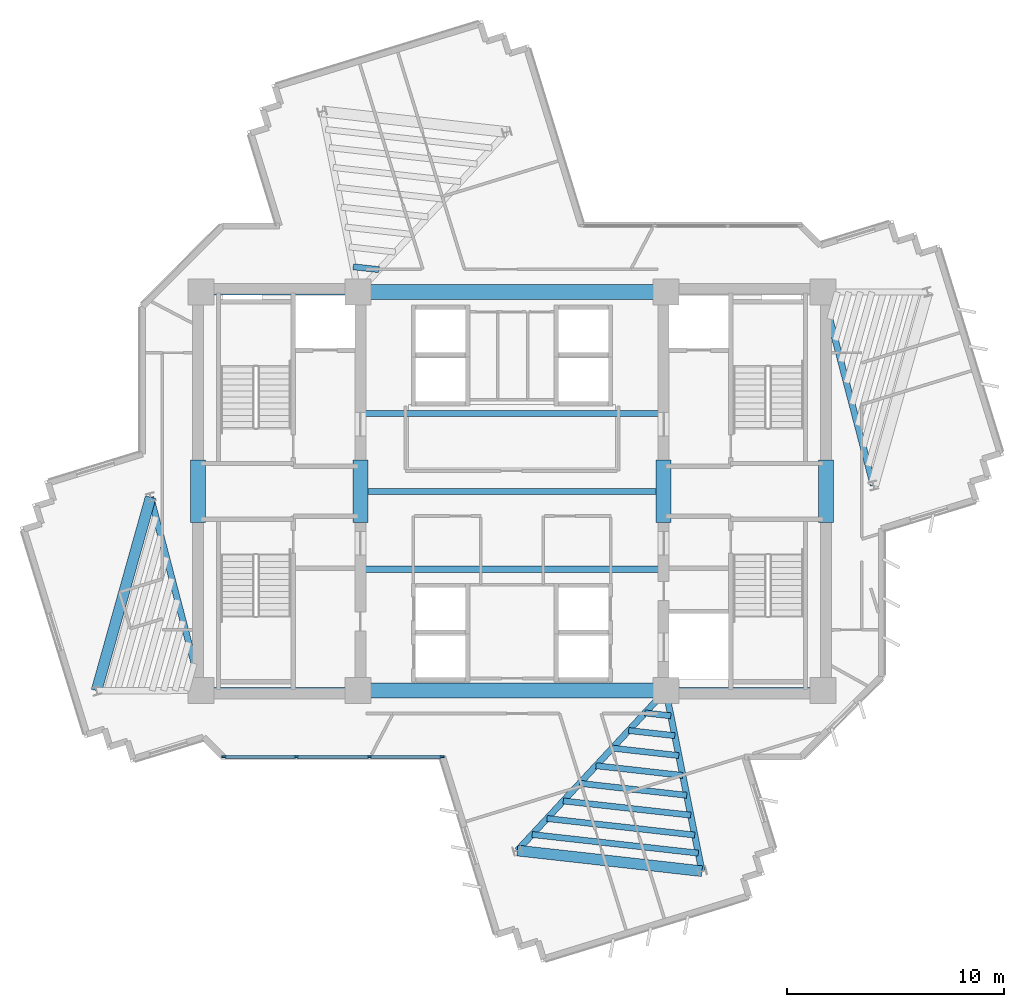
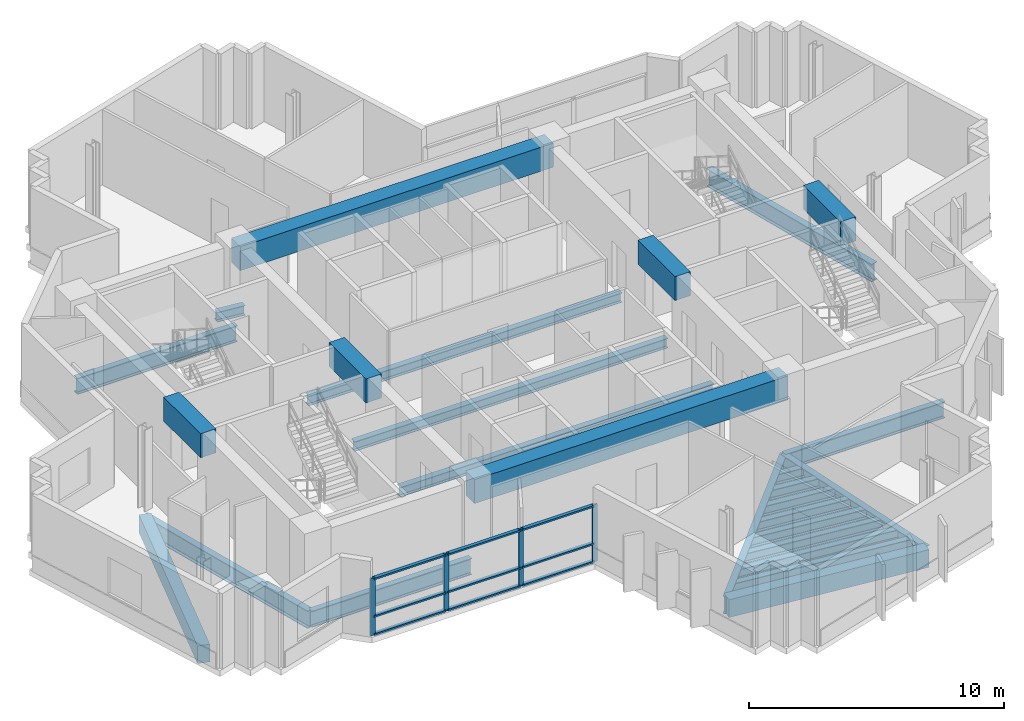
# One storey, part 2 of 13: 27 beams, 13 members, 1 element without a shape of its own.
"""IFC4 building model written with IfcOpenShell, lengths in metres."""

from ifc_helpers import new_model, si_unit, direction, frame, origin, origin_2d, place, context, subcontext, project, spatial, rectangle, i_section, extrude, source, transform, mapped, material, layer, layer_set, material_profile, profile_set, type_object, element, aggregate, save


model = new_model("IFC4")

# Units and contexts
model_context = context("Model", 3, precision=1e-05, world=origin(), true_north=direction((0.0, 1.0)))
body_context = subcontext(model_context, "Body", "Model", "MODEL_VIEW")
ifc_project = project(units=[si_unit("LENGTHUNIT", "METRE"), si_unit("AREAUNIT", "SQUARE_METRE"), si_unit("VOLUMEUNIT", "CUBIC_METRE"), si_unit("PLANEANGLEUNIT", "RADIAN"), si_unit("MASSUNIT", "GRAM", prefix="KILO")], contexts=[model_context])

# Site, building, storey
site_placement = place(None, origin())
site = spatial("IfcSite", under=ifc_project, at=site_placement, CompositionType="ELEMENT")
building_placement = place(site_placement, origin())
building = spatial("IfcBuilding", under=site, at=building_placement, Name="Zahravan Cultural Tower", CompositionType="ELEMENT")
storey_placement = place(building_placement, frame((0.0, 0.0, 213.60009765625)))
storey = spatial("IfcBuildingStorey", under=building, at=storey_placement, Name="L50", CompositionType="ELEMENT", Elevation=213.60009765625)

# Beams
ifc_material_1 = material(Name="Concrete C50/60", Category="concrete")
ifc_material_profile_1 = material_profile(ifc_material_1, rectangle(XDim=0.699951171875, YDim=1.14990234375, at=origin_2d()), Name="RC700X1150")
ifc_profile_set_1 = profile_set([ifc_material_profile_1], Name="Concrete C50/60")
beam_type_1 = type_object("IfcBeamType", Name="BM-LN-RC700X1150", PredefinedType="LINTEL", material=ifc_profile_set_1)
shared_shape_1 = source(origin(), body_context, "Body", "SweptSolid", [
    extrude(rectangle(XDim=0.699951171875, YDim=1.14990234375, at=origin_2d()), origin(), (0.0, 0.0, 1.0), 14.2001953125),
])
for number, where, z_axis, x_axis, name in (
    (1, (28.89990234375, 17.800048828125, 3.044921875), (1.0, 0.0, 0.0), (0.0, 1.0, 0.0), "L50 Beam LN-L50-S"),
    (2, (28.89990234375, 36.199951171875, 3.044921875), (1.0, 0.0, 0.0), (0.0, 1.0, 0.0), "L50 Beam LN-L50-N"),
):
    element("IfcBeam", number, at=place(storey_placement, frame(where, z_axis=z_axis, x_axis=x_axis)), inside=storey, type_object=beam_type_1, Name=name, PredefinedType="LINTEL", context=body_context, shape_type="MappedRepresentation", body=[
        mapped(shared_shape_1, transform((0.0, 0.0, 0.0), x_axis=(1.0, 0.0, 0.0), y_axis=(0.0, 1.0, 0.0), z_axis=(0.0, 0.0, 1.0), scale=1.0)),
    ])
shared_shape_2 = source(origin(), body_context, "Body", "SweptSolid", [
    extrude(rectangle(XDim=0.699951171875, YDim=1.14990234375, at=origin_2d()), origin(), (0.0, 0.0, 1.0), 2.89990234375),
])
for number, where, z_axis, x_axis, name in (
    (3, (21.5, 25.550048828125, 3.044921875), (0.0, 1.0, 0.0), (-1.0, 0.0, 0.0), "L50 Beam LN-L50-PWW"),
    (4, (29.0, 25.550048828125, 3.044921875), (0.0, 1.0, 0.0), (-1.0, 0.0, 0.0), "L50 Beam LN-L50-PWE"),
    (5, (43.0, 25.550048828125, 3.044921875), (0.0, 1.0, 0.0), (-1.0, 0.0, 0.0), "L50 Beam LN-L50-PEW"),
    (6, (50.5, 25.550048828125, 3.044921875), (0.0, 1.0, 0.0), (-1.0, 0.0, 0.0), "L50 Beam LN-L50-PEE"),
):
    element("IfcBeam", number, at=place(storey_placement, frame(where, z_axis=z_axis, x_axis=x_axis)), inside=storey, type_object=beam_type_1, Name=name, PredefinedType="LINTEL", context=body_context, shape_type="MappedRepresentation", body=[
        mapped(shared_shape_2, transform((0.0, 0.0, 0.0), x_axis=(1.0, 0.0, 0.0), y_axis=(0.0, 1.0, 0.0), z_axis=(0.0, 0.0, 1.0), scale=1.0)),
    ])
ifc_material_2 = material(Name="Steel ASTM A992 Grade 50", Category="steel")
ifc_material_profile_2 = material_profile(ifc_material_2, i_section(OverallWidth=0.26611328125, OverallDepth=0.780029296875, WebThickness=0.0166015625, FlangeThickness=0.030029296875, FilletRadius=0.01904296875, at=origin_2d()), Name="W30X148")
ifc_profile_set_2 = profile_set([ifc_material_profile_2], Name="Steel ASTM A992 Grade 50")
beam_type_2 = type_object("IfcBeamType", Name="BM-G-W30X148", PredefinedType="BEAM", material=ifc_profile_set_2)
shared_shape_3 = source(origin(), body_context, "Body", "SweptSolid", [
    extrude(i_section(OverallWidth=0.26611328125, OverallDepth=0.780029296875, WebThickness=0.0166015625, FlangeThickness=0.030029296875, FilletRadius=0.01904296875, at=origin_2d()), origin(), (0.0, 0.0, 1.0), 7.25),
])
for number, where, z_axis, x_axis, name in (
    (7, (21.64990234375, 17.800048828125, -0.670166015625), (1.0, 0.0, 0.0), (0.0, 1.0, 0.0), "L50 Beam BG-L50-01"),
    (8, (21.64990234375, 36.199951171875, -0.670166015625), (1.0, 0.0, 0.0), (0.0, 1.0, 0.0), "L50 Beam BG-L50-02"),
    (9, (43.10009765625, 17.800048828125, -0.670166015625), (1.0, 0.0, 0.0), (0.0, 1.0, 0.0), "L50 Beam BG-L50-04"),
):
    element("IfcBeam", number, at=place(storey_placement, frame(where, z_axis=z_axis, x_axis=x_axis)), inside=storey, type_object=beam_type_2, Name=name, PredefinedType="BEAM", context=body_context, shape_type="MappedRepresentation", body=[
        mapped(shared_shape_3, transform((0.0, 0.0, 0.0), x_axis=(1.0, 0.0, 0.0), y_axis=(0.0, 1.0, 0.0), z_axis=(0.0, 0.0, 1.0), scale=1.0)),
    ])
ifc_material_profile_3 = material_profile(ifc_material_1, rectangle(XDim=0.5, YDim=0.85009765625, at=origin_2d()), Name="RC500X850")
ifc_profile_set_3 = profile_set([ifc_material_profile_3], Name="Concrete C50/60")
beam_type_3 = type_object("IfcBeamType", Name="BM-SP-RC500X850", PredefinedType="SPANDREL", material=ifc_profile_set_3)
shared_shape_4 = source(origin(), body_context, "Body", "SweptSolid", [
    extrude(rectangle(XDim=0.5, YDim=0.85009765625, at=origin_2d()), origin(), (0.0, 0.0, 1.0), 9.2783203125),
])
beam_1_placement = place(storey_placement, frame((19.315673828125, 26.72900390625, -0.705078125), z_axis=(-0.269497187032, -0.963001176625, 0.0), x_axis=(0.963001176625, -0.269497187032, 0.0)))
element("IfcBeam", 10, at=beam_1_placement, inside=storey, type_object=beam_type_3, Name="L50 Beam SP-L50-15", PredefinedType="SPANDREL", context=body_context, shape_type="MappedRepresentation", body=[
    mapped(shared_shape_4, transform((0.0, 0.0, 0.0), x_axis=(1.0, 0.0, 0.0), y_axis=(0.0, 1.0, 0.0), z_axis=(0.0, 0.0, 1.0), scale=1.0)),
])
shared_shape_5 = source(origin(), body_context, "Body", "SweptSolid", [
    extrude(rectangle(XDim=0.5, YDim=0.85009765625, at=origin_2d()), origin(), (0.0, 0.0, 1.0), 8.579833984375),
])
beam_2_placement = place(storey_placement, frame((36.245361328125, 10.412353515625, -0.705078125), z_axis=(0.9938040105, -0.11114669907, 0.0), x_axis=(0.11114669907, 0.9938040105, 0.0)))
element("IfcBeam", 11, at=beam_2_placement, inside=storey, type_object=beam_type_3, Name="L50 Beam SP-L50-16", PredefinedType="SPANDREL", context=body_context, shape_type="MappedRepresentation", body=[
    mapped(shared_shape_5, transform((0.0, 0.0, 0.0), x_axis=(1.0, 0.0, 0.0), y_axis=(0.0, 1.0, 0.0), z_axis=(0.0, 0.0, 1.0), scale=1.0)),
])
ifc_material_profile_4 = material_profile(ifc_material_2, i_section(OverallWidth=0.29296875, OverallDepth=0.845947265625, WebThickness=0.015380859375, FlangeThickness=0.0244140625, FilletRadius=0.02001953125, at=origin_2d()), Name="W33X141")
ifc_profile_set_4 = profile_set([ifc_material_profile_4], Name="Steel ASTM A992 Grade 50")
beam_type_4 = type_object("IfcBeamType", Name="BM-G-W33X141", PredefinedType="BEAM", material=ifc_profile_set_4)
shared_shape_6 = source(origin(), body_context, "Body", "SweptSolid", [
    extrude(i_section(OverallWidth=0.29296875, OverallDepth=0.845947265625, WebThickness=0.015380859375, FlangeThickness=0.0244140625, FilletRadius=0.02001953125, at=origin_2d()), origin(), (0.0, 0.0, 1.0), 9.22900390625),
])
for number, where, z_axis, x_axis, name in (
    (12, (21.64990234375, 17.800048828125, -0.703125), (-0.252922608408, 0.967486513682, 0.0), (-0.967486513682, -0.252922608408, 0.0), "L50 Beam BG-L50-07"),
    (13, (50.35009765625, 36.199951171875, -0.703125), (0.252922608408, -0.967486513682, 0.0), (0.967486513682, 0.252922608408, 0.0), "L50 Beam BG-L50-11"),
):
    element("IfcBeam", number, at=place(storey_placement, frame(where, z_axis=z_axis, x_axis=x_axis)), inside=storey, type_object=beam_type_4, Name=name, PredefinedType="BEAM", context=body_context, shape_type="MappedRepresentation", body=[
        mapped(shared_shape_6, transform((0.0, 0.0, 0.0), x_axis=(1.0, 0.0, 0.0), y_axis=(0.0, 1.0, 0.0), z_axis=(0.0, 0.0, 1.0), scale=1.0)),
    ])
shared_shape_7 = source(origin(), body_context, "Body", "SweptSolid", [
    extrude(i_section(OverallWidth=0.29296875, OverallDepth=0.845947265625, WebThickness=0.015380859375, FlangeThickness=0.0244140625, FilletRadius=0.02001953125, at=origin_2d()), origin(), (0.0, 0.0, 1.0), 10.077880859375),
])
beam_3_placement = place(storey_placement, frame((43.10009765625, 17.800048828125, -0.703125), z_axis=(-0.680170435587, -0.733054007938, 0.0), x_axis=(0.733054007938, -0.680170435587, 0.0)))
element("IfcBeam", 14, at=beam_3_placement, inside=storey, type_object=beam_type_4, Name="L50 Beam BG-L50-09", PredefinedType="BEAM", context=body_context, shape_type="MappedRepresentation", body=[
    mapped(shared_shape_7, transform((0.0, 0.0, 0.0), x_axis=(1.0, 0.0, 0.0), y_axis=(0.0, 1.0, 0.0), z_axis=(0.0, 0.0, 1.0), scale=1.0)),
])
shared_shape_8 = source(origin(), body_context, "Body", "SweptSolid", [
    extrude(i_section(OverallWidth=0.29296875, OverallDepth=0.845947265625, WebThickness=0.015380859375, FlangeThickness=0.0244140625, FilletRadius=0.02001953125, at=origin_2d()), origin(), (0.0, 0.0, 1.0), 8.50732421875),
])
beam_4_placement = place(storey_placement, frame((43.10009765625, 17.800048828125, -0.703125), z_axis=(0.196524514012, -0.980498911469, 0.0), x_axis=(0.980498911469, 0.196524514012, 0.0)))
element("IfcBeam", 15, at=beam_4_placement, inside=storey, type_object=beam_type_4, Name="L50 Beam BG-L50-10", PredefinedType="BEAM", context=body_context, shape_type="MappedRepresentation", body=[
    mapped(shared_shape_8, transform((0.0, 0.0, 0.0), x_axis=(1.0, 0.0, 0.0), y_axis=(0.0, 1.0, 0.0), z_axis=(0.0, 0.0, 1.0), scale=1.0)),
])
ifc_material_profile_5 = material_profile(ifc_material_2, i_section(OverallWidth=0.280029296875, OverallDepth=0.462890625, WebThickness=0.0107421875, FlangeThickness=0.017333984375, FilletRadius=0.012939453125, at=origin_2d()), Name="W18X76")
ifc_profile_set_5 = profile_set([ifc_material_profile_5], Name="Steel ASTM A992 Grade 50")
beam_type_5 = type_object("IfcBeamType", Name="BM-J-W18X76", PredefinedType="JOIST", material=ifc_profile_set_5)
shared_shape_9 = source(origin(), body_context, "Body", "SweptSolid", [
    extrude(i_section(OverallWidth=0.280029296875, OverallDepth=0.462890625, WebThickness=0.0107421875, FlangeThickness=0.017333984375, FilletRadius=0.012939453125, at=origin_2d()), origin(), (0.0, 0.0, 1.0), 14.2001953125),
])
for number, where, z_axis, x_axis, name in (
    (16, (28.89990234375, 23.39990234375, -0.51171875), (1.0, 0.0, 0.0), (0.0, 1.0, 0.0), "L50 Beam BJ-L50-19"),
    (17, (28.89990234375, 27.0, -0.51171875), (1.0, 0.0, 0.0), (0.0, 1.0, 0.0), "L50 Beam BJ-L50-20"),
    (18, (28.89990234375, 30.60009765625, -0.51171875), (1.0, 0.0, 0.0), (0.0, 1.0, 0.0), "L50 Beam BJ-L50-21"),
):
    element("IfcBeam", number, at=place(storey_placement, frame(where, z_axis=z_axis, x_axis=x_axis)), inside=storey, type_object=beam_type_5, Name=name, PredefinedType="JOIST", context=body_context, shape_type="MappedRepresentation", body=[
        mapped(shared_shape_9, transform((0.0, 0.0, 0.0), x_axis=(1.0, 0.0, 0.0), y_axis=(0.0, 1.0, 0.0), z_axis=(0.0, 0.0, 1.0), scale=1.0)),
    ])
shared_shape_10 = source(origin(), body_context, "Body", "SweptSolid", [
    extrude(i_section(OverallWidth=0.280029296875, OverallDepth=0.462890625, WebThickness=0.0107421875, FlangeThickness=0.017333984375, FilletRadius=0.012939453125, at=origin_2d()), origin(), (0.0, 0.0, 1.0), 1.201171875),
])
for number, where, z_axis, x_axis, name in (
    (19, (42.140380859375, 16.765625, -0.51171875), (0.99379916149, -0.111190047317, 0.0), (0.111190047317, 0.99379916149, 0.0), "L50 Beam BJ-L50-30"),
    (20, (29.859619140625, 37.234375, -0.51171875), (-0.99379916149, 0.111190047317, 0.0), (-0.111190047317, -0.99379916149, 0.0), "L50 Beam BJ-L50-46"),
):
    element("IfcBeam", number, at=place(storey_placement, frame(where, z_axis=z_axis, x_axis=x_axis)), inside=storey, type_object=beam_type_5, Name=name, PredefinedType="JOIST", context=body_context, shape_type="MappedRepresentation", body=[
        mapped(shared_shape_10, transform((0.0, 0.0, 0.0), x_axis=(1.0, 0.0, 0.0), y_axis=(0.0, 1.0, 0.0), z_axis=(0.0, 0.0, 1.0), scale=1.0)),
    ])
shared_shape_11 = source(origin(), body_context, "Body", "SweptSolid", [
    extrude(i_section(OverallWidth=0.280029296875, OverallDepth=0.462890625, WebThickness=0.0107421875, FlangeThickness=0.017333984375, FilletRadius=0.012939453125, at=origin_2d()), origin(), (0.0, 0.0, 1.0), 2.144775390625),
])
beam_5_placement = place(storey_placement, frame((41.386474609375, 15.953125, -0.51171875), z_axis=(0.993797370806, -0.111206051, 0.0), x_axis=(0.111206051, 0.993797370806, 0.0)))
element("IfcBeam", 21, at=beam_5_placement, inside=storey, type_object=beam_type_5, Name="L50 Beam BJ-L50-31", PredefinedType="JOIST", context=body_context, shape_type="MappedRepresentation", body=[
    mapped(shared_shape_11, transform((0.0, 0.0, 0.0), x_axis=(1.0, 0.0, 0.0), y_axis=(0.0, 1.0, 0.0), z_axis=(0.0, 0.0, 1.0), scale=1.0)),
])
shared_shape_12 = source(origin(), body_context, "Body", "SweptSolid", [
    extrude(i_section(OverallWidth=0.280029296875, OverallDepth=0.462890625, WebThickness=0.0107421875, FlangeThickness=0.017333984375, FilletRadius=0.012939453125, at=origin_2d()), origin(), (0.0, 0.0, 1.0), 3.088623046875),
])
beam_6_placement = place(storey_placement, frame((40.63232421875, 15.140380859375, -0.51171875), z_axis=(0.993805407368, -0.111134208443, 0.0), x_axis=(0.111134208443, 0.993805407368, 0.0)))
element("IfcBeam", 22, at=beam_6_placement, inside=storey, type_object=beam_type_5, Name="L50 Beam BJ-L50-32", PredefinedType="JOIST", context=body_context, shape_type="MappedRepresentation", body=[
    mapped(shared_shape_12, transform((0.0, 0.0, 0.0), x_axis=(1.0, 0.0, 0.0), y_axis=(0.0, 1.0, 0.0), z_axis=(0.0, 0.0, 1.0), scale=1.0)),
])
shared_shape_13 = source(origin(), body_context, "Body", "SweptSolid", [
    extrude(i_section(OverallWidth=0.280029296875, OverallDepth=0.462890625, WebThickness=0.0107421875, FlangeThickness=0.017333984375, FilletRadius=0.012939453125, at=origin_2d()), origin(), (0.0, 0.0, 1.0), 4.0322265625),
])
beam_7_placement = place(storey_placement, frame((39.87841796875, 14.327880859375, -0.51171875), z_axis=(0.993802245601, -0.11116247855, 0.0), x_axis=(0.11116247855, 0.993802245601, 0.0)))
element("IfcBeam", 23, at=beam_7_placement, inside=storey, type_object=beam_type_5, Name="L50 Beam BJ-L50-33", PredefinedType="JOIST", context=body_context, shape_type="MappedRepresentation", body=[
    mapped(shared_shape_13, transform((0.0, 0.0, 0.0), x_axis=(1.0, 0.0, 0.0), y_axis=(0.0, 1.0, 0.0), z_axis=(0.0, 0.0, 1.0), scale=1.0)),
])
shared_shape_14 = source(origin(), body_context, "Body", "SweptSolid", [
    extrude(i_section(OverallWidth=0.280029296875, OverallDepth=0.462890625, WebThickness=0.0107421875, FlangeThickness=0.017333984375, FilletRadius=0.012939453125, at=origin_2d()), origin(), (0.0, 0.0, 1.0), 4.97607421875),
])
beam_8_placement = place(storey_placement, frame((39.124267578125, 13.51513671875, -0.51171875), z_axis=(0.993806308517, -0.111126149723, 0.0), x_axis=(0.111126149723, 0.993806308517, 0.0)))
element("IfcBeam", 24, at=beam_8_placement, inside=storey, type_object=beam_type_5, Name="L50 Beam BJ-L50-34", PredefinedType="JOIST", context=body_context, shape_type="MappedRepresentation", body=[
    mapped(shared_shape_14, transform((0.0, 0.0, 0.0), x_axis=(1.0, 0.0, 0.0), y_axis=(0.0, 1.0, 0.0), z_axis=(0.0, 0.0, 1.0), scale=1.0)),
])
shared_shape_15 = source(origin(), body_context, "Body", "SweptSolid", [
    extrude(i_section(OverallWidth=0.280029296875, OverallDepth=0.462890625, WebThickness=0.0107421875, FlangeThickness=0.017333984375, FilletRadius=0.012939453125, at=origin_2d()), origin(), (0.0, 0.0, 1.0), 5.919921875),
])
beam_9_placement = place(storey_placement, frame((38.370361328125, 12.70263671875, -0.51171875), z_axis=(0.993804520866, -0.111142135602, 0.0), x_axis=(0.111142135602, 0.993804520866, 0.0)))
element("IfcBeam", 25, at=beam_9_placement, inside=storey, type_object=beam_type_5, Name="L50 Beam BJ-L50-35", PredefinedType="JOIST", context=body_context, shape_type="MappedRepresentation", body=[
    mapped(shared_shape_15, transform((0.0, 0.0, 0.0), x_axis=(1.0, 0.0, 0.0), y_axis=(0.0, 1.0, 0.0), z_axis=(0.0, 0.0, 1.0), scale=1.0)),
])
shared_shape_16 = source(origin(), body_context, "Body", "SweptSolid", [
    extrude(i_section(OverallWidth=0.280029296875, OverallDepth=0.462890625, WebThickness=0.0107421875, FlangeThickness=0.017333984375, FilletRadius=0.012939453125, at=origin_2d()), origin(), (0.0, 0.0, 1.0), 6.86376953125),
])
beam_10_placement = place(storey_placement, frame((37.6162109375, 11.889892578125, -0.51171875), z_axis=(0.993803224695, -0.111153725024, 0.0), x_axis=(0.111153725024, 0.993803224695, 0.0)))
element("IfcBeam", 26, at=beam_10_placement, inside=storey, type_object=beam_type_5, Name="L50 Beam BJ-L50-36", PredefinedType="JOIST", context=body_context, shape_type="MappedRepresentation", body=[
    mapped(shared_shape_16, transform((0.0, 0.0, 0.0), x_axis=(1.0, 0.0, 0.0), y_axis=(0.0, 1.0, 0.0), z_axis=(0.0, 0.0, 1.0), scale=1.0)),
])
shared_shape_17 = source(origin(), body_context, "Body", "SweptSolid", [
    extrude(i_section(OverallWidth=0.280029296875, OverallDepth=0.462890625, WebThickness=0.0107421875, FlangeThickness=0.017333984375, FilletRadius=0.012939453125, at=origin_2d()), origin(), (0.0, 0.0, 1.0), 7.7216796875),
])
beam_11_placement = place(storey_placement, frame((36.930908203125, 11.151123046875, -0.51171875), z_axis=(0.993805212115, -0.11113595446, 0.0), x_axis=(0.11113595446, 0.993805212115, 0.0)))
element("IfcBeam", 27, at=beam_11_placement, inside=storey, type_object=beam_type_5, Name="L50 Beam BJ-L50-37", PredefinedType="JOIST", context=body_context, shape_type="MappedRepresentation", body=[
    mapped(shared_shape_17, transform((0.0, 0.0, 0.0), x_axis=(1.0, 0.0, 0.0), y_axis=(0.0, 1.0, 0.0), z_axis=(0.0, 0.0, 1.0), scale=1.0)),
])

# Curtain wall, members
ifc_material_3 = material(Name="Anodised bronze-aluminium mullion", Category="aluminium")
ifc_layer = layer(ifc_material_3, 0.219970703125)
ifc_layer_set = layer_set([ifc_layer], Name="Anodised bronze-aluminium mullion")
curtain_wall_type = type_object("IfcCurtainWallType", Name="CW-SYS-1", PredefinedType="USERDEFINED", material=ifc_layer_set)
curtain_wall_placement = place(storey_placement, origin())
curtain_wall = element("IfcCurtainWall", 28, at=curtain_wall_placement, inside=storey, type_object=curtain_wall_type, Name="L50 Recessed Curtain Wall CW-1.1", ObjectType="RECESSED GLAZING", PredefinedType="USERDEFINED")
ifc_material_profile_6 = material_profile(ifc_material_3, rectangle(XDim=0.080078125, YDim=0.219970703125, at=origin_2d()), Name="AL-M80X220")
ifc_profile_set_6 = profile_set([ifc_material_profile_6], Name="Anodised bronze-aluminium mullion")
member_type_1 = type_object("IfcMemberType", Name="CWM-CW-1", PredefinedType="MULLION", material=ifc_profile_set_6)
shared_shape_18 = source(origin(), body_context, "Body", "SweptSolid", [
    extrude(rectangle(XDim=0.080078125, YDim=0.219970703125, at=origin_2d()), origin(), (0.0, 0.0, 1.0), 2.739990234375),
])
member_1_placement = place(storey_placement, frame((32.763671875, 14.739990234375, 0.0), z_axis=(0.0, 0.0, 1.0), x_axis=(0.0, -1.0, 0.0)))
member_1 = element("IfcMember", 29, at=member_1_placement, type_object=member_type_1, Name="CW-1 mullion 1", PredefinedType="MULLION", context=body_context, shape_type="MappedRepresentation", body=[
    mapped(shared_shape_18, transform((0.0, 0.0, 0.0), x_axis=(1.0, 0.0, 0.0), y_axis=(0.0, 1.0, 0.0), z_axis=(0.0, 0.0, 1.0), scale=1.0)),
])
member_2_placement = place(storey_placement, frame((29.421630859375, 14.739990234375, 0.0), z_axis=(0.0, 0.0, 1.0), x_axis=(0.0, -1.0, 0.0)))
member_2 = element("IfcMember", 30, at=member_2_placement, type_object=member_type_1, Name="CW-1 mullion 2", PredefinedType="MULLION", context=body_context, shape_type="MappedRepresentation", body=[
    mapped(shared_shape_18, transform((0.0, 0.0, 0.0), x_axis=(1.0, 0.0, 0.0), y_axis=(0.0, 1.0, 0.0), z_axis=(0.0, 0.0, 1.0), scale=1.0)),
])
member_3_placement = place(storey_placement, frame((26.039794921875, 14.739990234375, 0.0), z_axis=(0.0, 0.0, 1.0), x_axis=(0.0, -1.0, 0.0)))
member_3 = element("IfcMember", 31, at=member_3_placement, type_object=member_type_1, Name="CW-1 mullion 3", PredefinedType="MULLION", context=body_context, shape_type="MappedRepresentation", body=[
    mapped(shared_shape_18, transform((0.0, 0.0, 0.0), x_axis=(1.0, 0.0, 0.0), y_axis=(0.0, 1.0, 0.0), z_axis=(0.0, 0.0, 1.0), scale=1.0)),
])
member_4_placement = place(storey_placement, frame((22.697998046875, 14.739990234375, 0.0), z_axis=(0.0, 0.0, 1.0), x_axis=(0.0, -1.0, 0.0)))
member_4 = element("IfcMember", 32, at=member_4_placement, type_object=member_type_1, Name="CW-1 mullion 4", PredefinedType="MULLION", context=body_context, shape_type="MappedRepresentation", body=[
    mapped(shared_shape_18, transform((0.0, 0.0, 0.0), x_axis=(1.0, 0.0, 0.0), y_axis=(0.0, 1.0, 0.0), z_axis=(0.0, 0.0, 1.0), scale=1.0)),
])
ifc_material_profile_7 = material_profile(ifc_material_3, rectangle(XDim=0.159912109375, YDim=0.080078125, at=origin_2d()), Name="AL-T80X160")
ifc_profile_set_7 = profile_set([ifc_material_profile_7], Name="Anodised bronze-aluminium mullion")
member_type_2 = type_object("IfcMemberType", Name="CWT-CW-1", PredefinedType="USERDEFINED", material=ifc_profile_set_7)
shared_shape_19 = source(origin(), body_context, "Body", "SweptSolid", [
    extrude(rectangle(XDim=0.159912109375, YDim=0.080078125, at=origin_2d()), origin(), (0.0, 0.0, 1.0), 3.261962890625),
])
member_5_placement = place(storey_placement, frame((32.7236328125, 14.739990234375, 0.039794921875), z_axis=(-1.0, 0.0, 0.0), x_axis=(0.0, -1.0, 0.0)))
member_5 = element("IfcMember", 33, at=member_5_placement, type_object=member_type_2, Name="CW-1 transom 1.1", ObjectType="TRANSOM", PredefinedType="USERDEFINED", context=body_context, shape_type="MappedRepresentation", body=[
    mapped(shared_shape_19, transform((0.0, 0.0, 0.0), x_axis=(1.0, 0.0, 0.0), y_axis=(0.0, 1.0, 0.0), z_axis=(0.0, 0.0, 1.0), scale=1.0)),
])
member_6_placement = place(storey_placement, frame((32.7236328125, 14.739990234375, 0.89990234375), z_axis=(-1.0, 0.0, 0.0), x_axis=(0.0, -1.0, 0.0)))
member_6 = element("IfcMember", 34, at=member_6_placement, type_object=member_type_2, Name="CW-1 transom 1.2", ObjectType="TRANSOM", PredefinedType="USERDEFINED", context=body_context, shape_type="MappedRepresentation", body=[
    mapped(shared_shape_19, transform((0.0, 0.0, 0.0), x_axis=(1.0, 0.0, 0.0), y_axis=(0.0, 1.0, 0.0), z_axis=(0.0, 0.0, 1.0), scale=1.0)),
])
member_7_placement = place(storey_placement, frame((32.7236328125, 14.739990234375, 2.699951171875), z_axis=(-1.0, 0.0, 0.0), x_axis=(0.0, -1.0, 0.0)))
member_7 = element("IfcMember", 35, at=member_7_placement, type_object=member_type_2, Name="CW-1 transom 1.3", ObjectType="TRANSOM", PredefinedType="USERDEFINED", context=body_context, shape_type="MappedRepresentation", body=[
    mapped(shared_shape_19, transform((0.0, 0.0, 0.0), x_axis=(1.0, 0.0, 0.0), y_axis=(0.0, 1.0, 0.0), z_axis=(0.0, 0.0, 1.0), scale=1.0)),
])
shared_shape_20 = source(origin(), body_context, "Body", "SweptSolid", [
    extrude(rectangle(XDim=0.159912109375, YDim=0.080078125, at=origin_2d()), origin(), (0.0, 0.0, 1.0), 3.302001953125),
])
member_8_placement = place(storey_placement, frame((29.3818359375, 14.739990234375, 0.039794921875), z_axis=(-1.0, 0.0, 0.0), x_axis=(0.0, -1.0, 0.0)))
member_8 = element("IfcMember", 36, at=member_8_placement, type_object=member_type_2, Name="CW-1 transom 2.1", ObjectType="TRANSOM", PredefinedType="USERDEFINED", context=body_context, shape_type="MappedRepresentation", body=[
    mapped(shared_shape_20, transform((0.0, 0.0, 0.0), x_axis=(1.0, 0.0, 0.0), y_axis=(0.0, 1.0, 0.0), z_axis=(0.0, 0.0, 1.0), scale=1.0)),
])
member_9_placement = place(storey_placement, frame((29.3818359375, 14.739990234375, 0.89990234375), z_axis=(-1.0, 0.0, 0.0), x_axis=(0.0, -1.0, 0.0)))
member_9 = element("IfcMember", 37, at=member_9_placement, type_object=member_type_2, Name="CW-1 transom 2.2", ObjectType="TRANSOM", PredefinedType="USERDEFINED", context=body_context, shape_type="MappedRepresentation", body=[
    mapped(shared_shape_20, transform((0.0, 0.0, 0.0), x_axis=(1.0, 0.0, 0.0), y_axis=(0.0, 1.0, 0.0), z_axis=(0.0, 0.0, 1.0), scale=1.0)),
])
member_10_placement = place(storey_placement, frame((29.3818359375, 14.739990234375, 2.699951171875), z_axis=(-1.0, 0.0, 0.0), x_axis=(0.0, -1.0, 0.0)))
member_10 = element("IfcMember", 38, at=member_10_placement, type_object=member_type_2, Name="CW-1 transom 2.3", ObjectType="TRANSOM", PredefinedType="USERDEFINED", context=body_context, shape_type="MappedRepresentation", body=[
    mapped(shared_shape_20, transform((0.0, 0.0, 0.0), x_axis=(1.0, 0.0, 0.0), y_axis=(0.0, 1.0, 0.0), z_axis=(0.0, 0.0, 1.0), scale=1.0)),
])
shared_shape_21 = source(origin(), body_context, "Body", "SweptSolid", [
    extrude(rectangle(XDim=0.159912109375, YDim=0.080078125, at=origin_2d()), origin(), (0.0, 0.0, 1.0), 3.26171875),
])
member_11_placement = place(storey_placement, frame((25.999755859375, 14.739990234375, 0.039794921875), z_axis=(-1.0, 0.0, 0.0), x_axis=(0.0, -1.0, 0.0)))
member_11 = element("IfcMember", 39, at=member_11_placement, type_object=member_type_2, Name="CW-1 transom 3.1", ObjectType="TRANSOM", PredefinedType="USERDEFINED", context=body_context, shape_type="MappedRepresentation", body=[
    mapped(shared_shape_21, transform((0.0, 0.0, 0.0), x_axis=(1.0, 0.0, 0.0), y_axis=(0.0, 1.0, 0.0), z_axis=(0.0, 0.0, 1.0), scale=1.0)),
])
member_12_placement = place(storey_placement, frame((25.999755859375, 14.739990234375, 0.89990234375), z_axis=(-1.0, 0.0, 0.0), x_axis=(0.0, -1.0, 0.0)))
member_12 = element("IfcMember", 40, at=member_12_placement, type_object=member_type_2, Name="CW-1 transom 3.2", ObjectType="TRANSOM", PredefinedType="USERDEFINED", context=body_context, shape_type="MappedRepresentation", body=[
    mapped(shared_shape_21, transform((0.0, 0.0, 0.0), x_axis=(1.0, 0.0, 0.0), y_axis=(0.0, 1.0, 0.0), z_axis=(0.0, 0.0, 1.0), scale=1.0)),
])
member_13_placement = place(storey_placement, frame((25.999755859375, 14.739990234375, 2.699951171875), z_axis=(-1.0, 0.0, 0.0), x_axis=(0.0, -1.0, 0.0)))
member_13 = element("IfcMember", 41, at=member_13_placement, type_object=member_type_2, Name="CW-1 transom 3.3", ObjectType="TRANSOM", PredefinedType="USERDEFINED", context=body_context, shape_type="MappedRepresentation", body=[
    mapped(shared_shape_21, transform((0.0, 0.0, 0.0), x_axis=(1.0, 0.0, 0.0), y_axis=(0.0, 1.0, 0.0), z_axis=(0.0, 0.0, 1.0), scale=1.0)),
])
aggregate(curtain_wall, [member_1, member_2, member_3, member_4, member_5, member_6, member_7, member_8, member_9, member_10, member_11, member_12, member_13])

save(model, "model.ifc")
